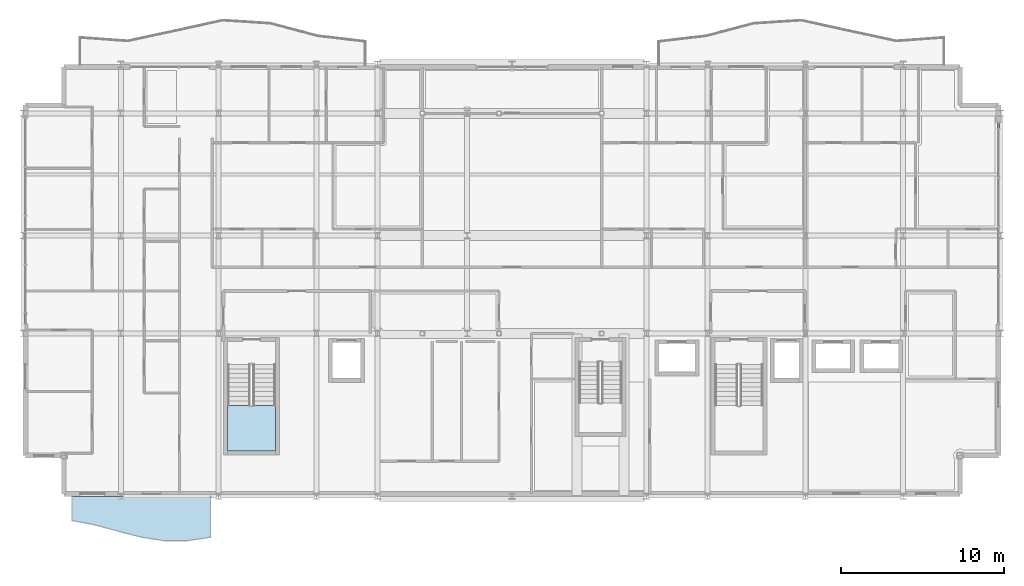
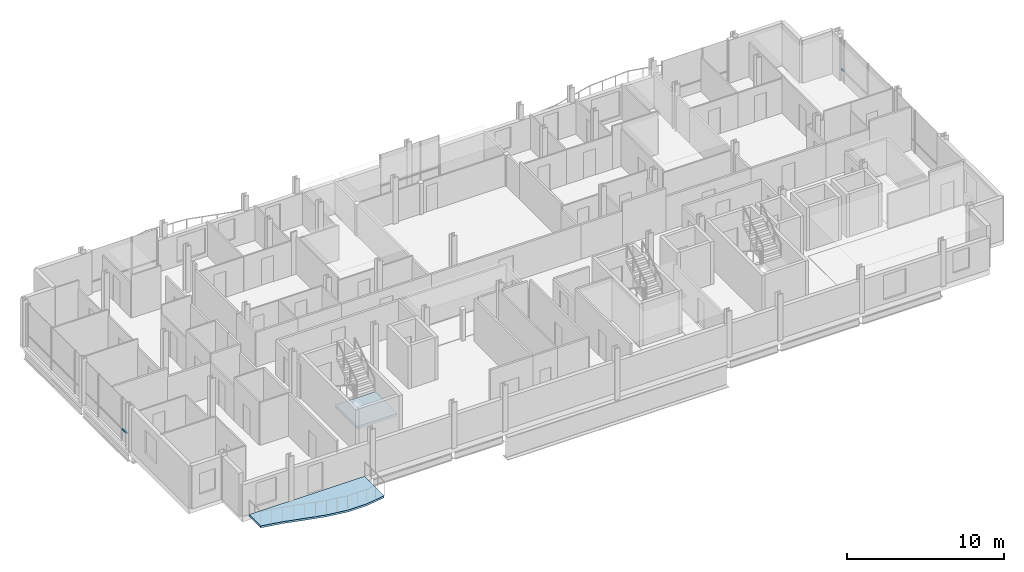
# One storey, part 20 of 35: 2 members, 2 slabs, 3 elements without a shape of their own.
"""IFC4 building model written with IfcOpenShell, lengths in metres."""

from ifc_helpers import new_model, si_unit, direction, frame, origin, origin_2d, place, context, subcontext, project, spatial, polyline, hollow_rectangle, outline, extrude, material, layer, layer_set, material_profile, profile_set, type_object, element, aggregate, save


model = new_model("IFC4")

# Units and contexts
model_context = context("Model", 3, precision=1e-05, world=origin(), true_north=direction((0.0, 1.0)))
body_context = subcontext(model_context, "Body", "Model", "MODEL_VIEW")
ifc_project = project(units=[si_unit("LENGTHUNIT", "METRE"), si_unit("AREAUNIT", "SQUARE_METRE"), si_unit("VOLUMEUNIT", "CUBIC_METRE"), si_unit("PLANEANGLEUNIT", "RADIAN"), si_unit("MASSUNIT", "GRAM", prefix="KILO")], contexts=[model_context])

# Site, building, storey
site_placement = place(None, origin())
site = spatial("IfcSite", under=ifc_project, at=site_placement, CompositionType="ELEMENT")
building_placement = place(site_placement, origin())
building = spatial("IfcBuilding", under=site, at=building_placement, Name="Brevholm Reach", CompositionType="ELEMENT")
storey_placement = place(building_placement, frame((0.0, 0.0, 214.39990234375)))
storey = spatial("IfcBuildingStorey", under=building, at=storey_placement, Name="L65", CompositionType="ELEMENT", Elevation=214.39990234375)

# Curtain wall, member
ifc_material_1 = material(Name="Dark Anodised Aluminium 6063-T6 and Solar-Control Glass", Category="aluminium")
ifc_layer_1 = layer(ifc_material_1, 0.14990234375)
ifc_layer_set_1 = layer_set([ifc_layer_1], Name="Dark Anodised Aluminium 6063-T6 and Solar-Control Glass")
curtain_wall_type = type_object("IfcCurtainWallType", Name="CW-01", PredefinedType="NOTDEFINED", material=ifc_layer_set_1)
curtain_wall_1_placement = place(storey_placement, origin())
curtain_wall_1 = element("IfcCurtainWall", 1, at=curtain_wall_1_placement, inside=storey, type_object=curtain_wall_type, Name="L65 Curtain Wall CW-01", PredefinedType="NOTDEFINED")
ifc_material_2 = material(Name="Dark Anodised Aluminium 6063-T6", Category="aluminium")
ifc_material_profile = material_profile(ifc_material_2, hollow_rectangle(XDim=0.06494140625, YDim=0.14990234375, WallThickness=0.0048828125, InnerFilletRadius=0.0048828125, OuterFilletRadius=0.010009765625, at=origin_2d()), Name="RHS 150x65x5")
ifc_profile_set = profile_set([ifc_material_profile], Name="Dark Anodised Aluminium 6063-T6")
member_type = type_object("IfcMemberType", Name="CWT-150", PredefinedType="NOTDEFINED", material=ifc_profile_set)
member_1_placement = place(storey_placement, frame((0.14990234375, 11.1875, 0.900146484375), z_axis=(0.0, -1.0, 0.0), x_axis=(0.0, 0.0, 1.0)))
member_1 = element("IfcMember", 2, at=member_1_placement, type_object=member_type, Name="CT-150 Transom 5.1", ObjectType="TRANSOM", PredefinedType="USERDEFINED", context=body_context, shape_type="SweptSolid", body=[
    extrude(hollow_rectangle(XDim=0.06494140625, YDim=0.14990234375, WallThickness=0.0048828125, InnerFilletRadius=0.0048828125, OuterFilletRadius=0.010009765625, at=origin_2d()), origin(), (0.0, 0.0, 1.0), 0.572509765625),
])
aggregate(curtain_wall_1, [member_1])

curtain_wall_2_placement = place(storey_placement, origin())
curtain_wall_2 = element("IfcCurtainWall", 3, at=curtain_wall_2_placement, inside=storey, type_object=curtain_wall_type, Name="L65 Curtain Wall CW-01", PredefinedType="NOTDEFINED")
member_2_placement = place(storey_placement, frame((59.85009765625, 22.58251953125, 0.900146484375), z_axis=(0.0, 1.0, 0.0), x_axis=(0.0, 0.0, 1.0)))
member_2 = element("IfcMember", 4, at=member_2_placement, type_object=member_type, Name="CT-150 Transom 5.1", ObjectType="TRANSOM", PredefinedType="USERDEFINED", context=body_context, shape_type="SweptSolid", body=[
    extrude(hollow_rectangle(XDim=0.06494140625, YDim=0.14990234375, WallThickness=0.0048828125, InnerFilletRadius=0.0048828125, OuterFilletRadius=0.010009765625, at=origin_2d()), origin(), (0.0, 0.0, 1.0), 0.302490234375),
])
aggregate(curtain_wall_2, [member_2])

# Slab
ifc_material_3 = material(Name="Precast Concrete C45/55", Category="concrete")
ifc_layer_2 = layer(ifc_material_3, 0.14990234375)
ifc_layer_set_2 = layer_set([ifc_layer_2], Name="Precast Concrete C45/55")
slab_type_1 = type_object("IfcSlabType", Name="SLB-BAL-150", PredefinedType="FLOOR", material=ifc_layer_set_2)
slab_1_placement = place(storey_placement, frame((0.0, 0.0, -0.14990234375)))
element("IfcSlab", 5, at=slab_1_placement, inside=storey, type_object=slab_type_1, Name="L65 Rippling External Balcony SW", PredefinedType="FLOOR", context=body_context, shape_type="SweptSolid", body=[
    extrude(outline(polyline([(3.0, -1.4736328125), (4.416748046875, -1.747802734375), (5.833251953125, -2.1337890625), (7.25, -2.499755859375), (8.666748046875, -2.720458984375), (10.083251953125, -2.720458984375), (11.5, -2.499755859375), (11.5, 0.0), (3.0, 0.0), (3.0, -1.4736328125)])), origin(), (0.0, 0.0, 1.0), 0.14990234375),
])

# Stair, slab
ifc_material_4 = material(Name="Precast Concrete C40/50", Category="concrete")
stair_type = type_object("IfcStairType", Name="STR-ESC-1400", PredefinedType="DOUBLE_RETURN_STAIR", material=ifc_material_4)
stair_placement = place(storey_placement, origin())
stair = element("IfcStair", 6, at=stair_placement, inside=storey, type_object=stair_type, Name="L65 ST-1", PredefinedType="DOUBLE_RETURN_STAIR")
ifc_material_5 = material(Name="Concrete C40/50", Category="concrete")
ifc_layer_3 = layer(ifc_material_5, 0.199951171875)
ifc_layer_set_3 = layer_set([ifc_layer_3], Name="Concrete C40/50")
slab_type_2 = type_object("IfcSlabType", Name="SLB-LND-200", PredefinedType="LANDING", material=ifc_layer_set_3)
slab_2_placement = place(storey_placement, frame((0.0, 0.0, 1.60009765625)))
slab_2 = element("IfcSlab", 7, at=slab_2_placement, type_object=slab_type_2, Name="ST-1 landing 1", PredefinedType="LANDING", context=body_context, shape_type="SweptSolid", body=[
    extrude(outline(polyline([(12.550048828125, 5.580078125), (12.550048828125, 2.780029296875), (15.5, 2.780029296875), (15.5, 5.580078125), (12.550048828125, 5.580078125)])), origin(), (0.0, 0.0, 1.0), 0.199951171875),
])
aggregate(stair, [slab_2])

save(model, "model.ifc")
